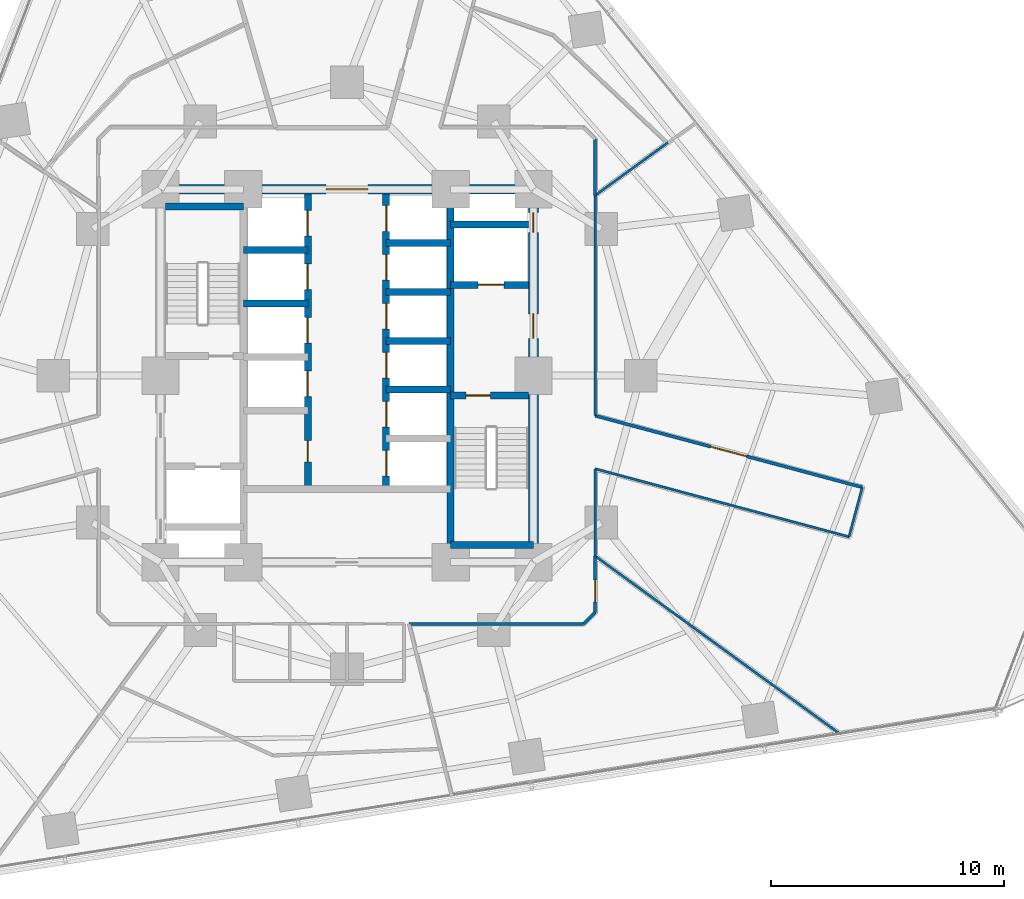
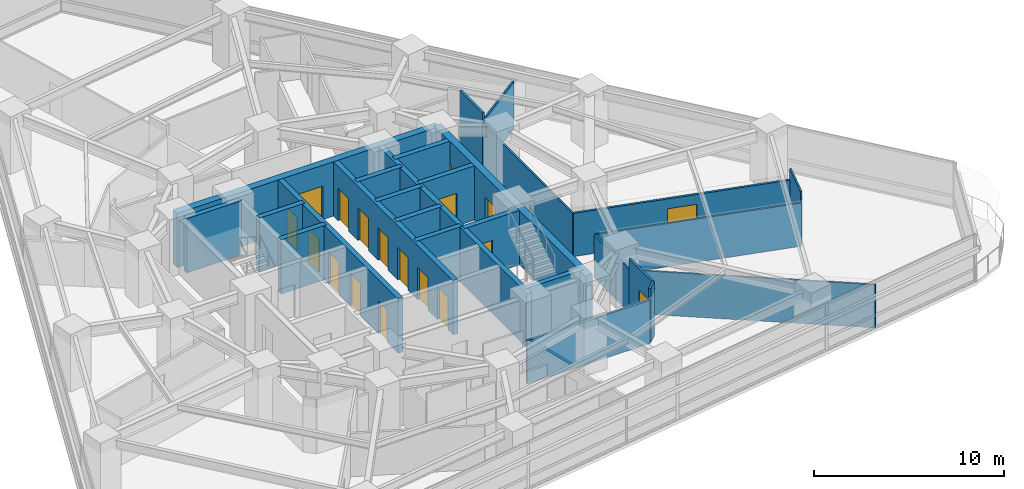
# One storey, part 8 of 13: 27 walls, 18 doors, 18 openings.
"""IFC4 building model written with IfcOpenShell, lengths in metres."""

import ifcopenshell
import ifcopenshell.guid

model = None  # the IFC model being written
_history = None  # IfcOwnerHistory: only IFC2X3 demands one
_inside = {}  # id of a spatial element -> (the spatial element, [elements in it])
_under = {}  # id of a project, library or spatial element -> (it, [spatial elements below it])
_declared = {}  # id of a project -> (the project, [libraries it declares])
_typed = {}  # id of a type object -> (the type object, [elements of that type])
_made_of = {}  # id of a material, layer set ... -> (it, [elements and type objects made of it])


def new_model(schema):
    """Start an empty IFC model of exactly this schema.

    Asked for "IFC4X3", IfcOpenShell would pick the latest addendum, in which some entities
    have other attributes; the version numbers below select the first issue.
    IFC2X3 requires an IfcOwnerHistory on every rooted entity: one is made here for all.
    """
    global model, _history
    if schema == "IFC4X3":
        model = ifcopenshell.file(schema_version=(4, 3, 0, 0))
    else:
        model = ifcopenshell.file(schema=schema)
    _inside.clear()
    _under.clear()
    _declared.clear()
    _typed.clear()
    _made_of.clear()
    _history = None
    if model.schema == "IFC2X3":
        org = make("IfcOrganization", Name="unknown")
        user = make(
            "IfcPersonAndOrganization",
            ThePerson=make("IfcPerson", FamilyName="unknown"),
            TheOrganization=org,
        )
        app = make(
            "IfcApplication",
            ApplicationDeveloper=org,
            Version="unknown",
            ApplicationFullName="unknown",
            ApplicationIdentifier="unknown",
        )
        _history = make(
            "IfcOwnerHistory",
            OwningUser=user,
            OwningApplication=app,
            ChangeAction="ADDED",
            CreationDate=0,
        )
    return model


def make(cls, **values):
    """One entity of the class cls with the attributes given. An attribute that is None is left unset."""
    return model.create_entity(
        cls, **{name: value for name, value in values.items() if value is not None}
    )


def rooted(cls, **values):
    """An entity with a GlobalId (a new one), such as an element, a storey or a relation."""
    return make(cls, GlobalId=ifcopenshell.guid.new(), OwnerHistory=_history, **values)


def si_unit(unit_type, name, prefix=None):
    """IfcSIUnit, for example si_unit("LENGTHUNIT", "METRE", prefix="MILLI")."""
    return make("IfcSIUnit", UnitType=unit_type, Prefix=prefix, Name=name)


def assignment(units):
    """IfcUnitAssignment: the units of a project."""
    return None if units is None else make("IfcUnitAssignment", Units=units)


def point(xyz):
    """IfcCartesianPoint."""
    return None if xyz is None else make("IfcCartesianPoint", Coordinates=xyz)


def direction(xyz):
    """IfcDirection."""
    return None if xyz is None else make("IfcDirection", DirectionRatios=xyz)


def frame(location, z_axis=None, x_axis=None):
    """IfcAxis2Placement3D, a coordinate frame: its origin and axes. An axis left out is left unset."""
    return make(
        "IfcAxis2Placement3D",
        Location=point(location),
        Axis=direction(z_axis),
        RefDirection=direction(x_axis),
    )


def frame_2d(location, x_axis=None):
    """IfcAxis2Placement2D, a coordinate frame in the plane: its origin and x axis."""
    return make(
        "IfcAxis2Placement2D", Location=point(location), RefDirection=direction(x_axis)
    )


def origin():
    """The frame at (0, 0, 0) with its axes left unset."""
    return frame((0.0, 0.0, 0.0))


def place(relative_to, where):
    """IfcLocalPlacement: puts the frame where relative to a parent placement (None: the world)."""
    return make(
        "IfcLocalPlacement", PlacementRelTo=relative_to, RelativePlacement=where
    )


def context(
    kind, dimensions, precision=None, world=None, true_north=None, identifier=None
):
    """IfcGeometricRepresentationContext, for example the 3D "Model" context."""
    return make(
        "IfcGeometricRepresentationContext",
        ContextIdentifier=identifier,
        ContextType=kind,
        CoordinateSpaceDimension=dimensions,
        Precision=precision,
        WorldCoordinateSystem=world,
        TrueNorth=true_north,
    )


def subcontext(parent, identifier, kind, view, scale=None):
    """IfcGeometricRepresentationSubContext, for example "Body" below "Model"."""
    return make(
        "IfcGeometricRepresentationSubContext",
        ContextIdentifier=identifier,
        ContextType=kind,
        ParentContext=parent,
        TargetScale=scale,
        TargetView=view,
    )


def project(units=None, contexts=None):
    """IfcProject with its units and contexts."""
    return rooted(
        "IfcProject",
        Name="project",
        RepresentationContexts=contexts,
        UnitsInContext=assignment(units),
    )


def spatial(cls, under=None, at=None, **own):
    """A site, building, storey or space (cls), placed at a placement, below another one or the project."""
    s = rooted(cls, ObjectPlacement=at, **own)
    if under is not None:
        _under.setdefault(under.id(), (under, []))[1].append(s)
    return s


def profile(cls, at=None, kind="AREA", **sizes):
    """A parametric profile (cls). Its sizes go by their IFC names, for example OverallWidth=200.0."""
    return make(cls, ProfileType=kind, Position=at, **sizes)


def rectangle(**sizes):
    """IfcRectangleProfileDef."""
    return profile("IfcRectangleProfileDef", **sizes)


def extrude(swept, where, along, depth):
    """IfcExtrudedAreaSolid: the profile swept, set in the frame where, extruded along a direction by depth."""
    return make(
        "IfcExtrudedAreaSolid",
        SweptArea=swept,
        Position=where,
        ExtrudedDirection=direction(along),
        Depth=depth,
    )


def shape(context_of_items, identifier, shape_type, items):
    """IfcShapeRepresentation: the items that make up one representation, for example the "Body"."""
    return make(
        "IfcShapeRepresentation",
        ContextOfItems=context_of_items,
        RepresentationIdentifier=identifier,
        RepresentationType=shape_type,
        Items=items,
    )


def material(Name=None, Category=None):
    """IfcMaterial."""
    return make("IfcMaterial", Name=Name, Category=Category)


def layer(
    of_material, thickness, ventilated=None, Name=None, Category=None, Priority=None
):
    """IfcMaterialLayer: one layer of a wall or slab, of a material (None: an air gap)."""
    return make(
        "IfcMaterialLayer",
        Material=of_material,
        LayerThickness=thickness,
        IsVentilated=ventilated,
        Name=Name,
        Category=Category,
        Priority=Priority,
    )


def layer_set(layers, Name=None):
    """IfcMaterialLayerSet."""
    return make("IfcMaterialLayerSet", MaterialLayers=layers, LayerSetName=Name)


def made_of(thing, what):
    """Note that an element or type object is made of a material, layer set ...; save() writes the relation."""
    if what is not None:
        _made_of.setdefault(what.id(), (what, []))[1].append(thing)
    return thing


def type_object(cls, material=None, **own):
    """A type object (cls), such as IfcWallType, which elements share."""
    return made_of(rooted(cls, **own), material)


def element(
    cls,
    number,
    at=None,
    inside=None,
    cuts=None,
    type_object=None,
    material=None,
    context=None,
    identifier="Body",
    shape_type=None,
    held_by="IfcProductDefinitionShape",
    body=None,
    shapes=None,
    **own,
):
    """One element of the class cls, such as IfcWall. Its Tag is "e" and its number.

    at: its placement. inside: the storey or other place that contains it. cuts: it is an
    opening in that element (IfcRelVoidsElement). A single representation is given by context,
    identifier, shape_type and body (its items); several are given by shapes. held_by: the class
    of the entity that holds the representations. save() writes the other relations.
    """
    e = rooted(cls, Tag="e%d" % number, ObjectPlacement=at, **own)
    if body is not None:
        shapes = [shape(context, identifier, shape_type, body)]
    if shapes is not None:
        e.Representation = make(held_by, Representations=shapes)
    if inside is not None:
        _inside.setdefault(inside.id(), (inside, []))[1].append(e)
    if cuts is not None:
        rooted(
            "IfcRelVoidsElement", RelatingBuildingElement=cuts, RelatedOpeningElement=e
        )
    if type_object is not None:
        _typed.setdefault(type_object.id(), (type_object, []))[1].append(e)
    return made_of(e, material)


def fill(opening, filler):
    """IfcRelFillsElement: the door or window that sits in an opening."""
    return rooted(
        "IfcRelFillsElement",
        RelatingOpeningElement=opening,
        RelatedBuildingElement=filler,
    )


def aggregate(whole, parts):
    """IfcRelAggregates: a whole, such as a stair, and the parts it consists of."""
    return rooted("IfcRelAggregates", RelatingObject=whole, RelatedObjects=parts)


def save(model, path):
    """Write the relations noted so far, then the file.

    IfcRelAggregates (storeys below a building ...), IfcRelContainedInSpatialStructure (elements
    in a storey), IfcRelDefinesByType, IfcRelAssociatesMaterial and IfcRelDeclares: one each for
    every whole, place, type object, material and project.
    """
    for whole, parts in _under.values():
        aggregate(whole, parts)
    for where, things in _inside.values():
        rooted(
            "IfcRelContainedInSpatialStructure",
            RelatedElements=things,
            RelatingStructure=where,
        )
    for kind, things in _typed.values():
        rooted("IfcRelDefinesByType", RelatedObjects=things, RelatingType=kind)
    for what, things in _made_of.values():
        rooted("IfcRelAssociatesMaterial", RelatedObjects=things, RelatingMaterial=what)
    for by, libraries in _declared.values():
        rooted("IfcRelDeclares", RelatingContext=by, RelatedDefinitions=libraries)
    model.write(path)


model = new_model("IFC4")

# Units and contexts
model_context = context("Model", 3, precision=1e-05, world=origin(), true_north=direction((0.0, 1.0)))
body_context = subcontext(model_context, "Body", "Model", "MODEL_VIEW")
ifc_project = project(units=[si_unit("LENGTHUNIT", "METRE"), si_unit("AREAUNIT", "SQUARE_METRE"), si_unit("VOLUMEUNIT", "CUBIC_METRE"), si_unit("PLANEANGLEUNIT", "RADIAN"), si_unit("MASSUNIT", "GRAM", prefix="KILO")], contexts=[model_context])

# Site, building, storey
site_placement = place(None, origin())
site = spatial("IfcSite", under=ifc_project, at=site_placement, CompositionType="ELEMENT")
building_placement = place(site_placement, origin())
building = spatial("IfcBuilding", under=site, at=building_placement, Name="Terralouvre Media Tower", CompositionType="ELEMENT")
storey_placement = place(building_placement, frame((0.0, 0.0, 59.300048828125)))
storey = spatial("IfcBuildingStorey", under=building, at=storey_placement, Name="L14", CompositionType="ELEMENT", Elevation=59.300048828125)

# Walls
ifc_material_1 = material(Name="Concrete C50/60", Category="concrete")
ifc_layer_1 = layer(ifc_material_1, 0.300048828125, Name="Core Internal Shaft Wall CW-300")
ifc_layer_set_1 = layer_set([ifc_layer_1], Name="Concrete C50/60")
wall_type_1 = type_object("IfcWallType", Name="Core Internal Shaft Wall CW-300", PredefinedType="SHEAR", material=ifc_layer_set_1)
wall_1_placement = place(storey_placement, frame((4.449951171875, -7.7900390625, 0.0), z_axis=(0.0, 0.0, 1.0), x_axis=(0.0, 1.0, 0.0)))
element("IfcWall", 1, at=wall_1_placement, inside=storey, type_object=wall_type_1, Name="L14 Core Shaft Wall SPE", PredefinedType="SHEAR", context=body_context, shape_type="SweptSolid", body=[
    extrude(rectangle(XDim=15.580078125, YDim=0.300048828125, at=frame_2d((7.7900390625, 0.0))), origin(), (0.0, 0.0, 1.0), 3.5),
])
wall_2_placement = place(storey_placement, frame((-7.7900390625, 7.260009765625, 0.0), z_axis=(0.0, 0.0, 1.0), x_axis=(1.0, 0.0, 0.0)))
element("IfcWall", 2, at=wall_2_placement, inside=storey, type_object=wall_type_1, Name="L14 Core Shaft Wall ST1F", PredefinedType="SHEAR", context=body_context, shape_type="SweptSolid", body=[
    extrude(rectangle(XDim=3.340087890625, YDim=0.300048828125, at=frame_2d((1.669921875, 0.0))), origin(), (0.0, 0.0, 1.0), 3.5),
])

# Wall, opening, door
wall_3_placement = place(storey_placement, frame((4.449951171875, -0.85009765625, 0.0), z_axis=(0.0, 0.0, 1.0), x_axis=(1.0, 0.0, 0.0)))
wall_3 = element("IfcWall", 3, at=wall_3_placement, inside=storey, type_object=wall_type_1, Name="L14 Core Shaft Wall ST2D", PredefinedType="SHEAR", context=body_context, shape_type="SweptSolid", body=[
    extrude(rectangle(XDim=3.340087890625, YDim=0.300048828125, at=frame_2d((1.669921875, 0.0))), origin(), (0.0, 0.0, 1.0), 3.5),
])
opening_1_placement = place(wall_3_placement, frame((0.64990234375, 0.0, 0.0)))
opening_1 = element("IfcOpeningElement", 4, at=opening_1_placement, cuts=wall_3, Name="Opening FD-01-105X215", PredefinedType="OPENING", context=body_context, shape_type="SweptSolid", body=[
    extrude(rectangle(XDim=1.050048828125, YDim=2.14990234375, at=frame_2d((0.52490234375, 1.074951171875))), frame((0.0, 0.159912109375, 0.0), z_axis=(0.0, -1.0, 0.0), x_axis=(1.0, 0.0, 0.0)), (0.0, 0.0, 1.0), 0.320068359375),
])
ifc_material_2 = material(Name="Galvanised steel fire-resisting leaf", Category="steel")
door_type_1 = type_object("IfcDoorType", Name="Stair and Firefighting Lobby Fire Door FD-01 (1050x2150)", OperationType="NOTDEFINED", PredefinedType="DOOR", material=ifc_material_2)
door_1_placement = place(opening_1_placement, origin())
door_1 = element("IfcDoor", 5, at=door_1_placement, inside=storey, type_object=door_type_1, Name="L14 ST-02 Exit Stair Door", OperationType="SINGLE_SWING_RIGHT", OverallHeight=2.14990234375, OverallWidth=1.050048828125, PredefinedType="DOOR", context=body_context, shape_type="SweptSolid", body=[
    extrude(rectangle(XDim=1.050048828125, YDim=2.14990234375, at=frame_2d((0.52490234375, 1.074951171875))), frame((0.0, 0.02490234375, 0.0), z_axis=(0.0, -1.0, 0.0), x_axis=(1.0, 0.0, 0.0)), (0.0, 0.0, 1.0), 0.050048828125),
])
fill(opening_1, door_1)

# Wall
wall_4_placement = place(storey_placement, frame((4.449951171875, -7.260009765625, 0.0), z_axis=(0.0, 0.0, 1.0), x_axis=(1.0, 0.0, 0.0)))
element("IfcWall", 6, at=wall_4_placement, inside=storey, type_object=wall_type_1, Name="L14 Core Shaft Wall ST2F", PredefinedType="SHEAR", context=body_context, shape_type="SweptSolid", body=[
    extrude(rectangle(XDim=3.550048828125, YDim=0.300048828125, at=frame_2d((1.77490234375, 0.0))), origin(), (0.0, 0.0, 1.0), 3.5),
])

# Wall, opening, door
wall_5_placement = place(storey_placement, frame((4.449951171875, 3.89990234375, 0.0), z_axis=(0.0, 0.0, 1.0), x_axis=(1.0, 0.0, 0.0)))
wall_5 = element("IfcWall", 7, at=wall_5_placement, inside=storey, type_object=wall_type_1, Name="L14 Core Shaft Wall FF2S", PredefinedType="SHEAR", context=body_context, shape_type="SweptSolid", body=[
    extrude(rectangle(XDim=3.340087890625, YDim=0.300048828125, at=frame_2d((1.669921875, 0.0))), origin(), (0.0, 0.0, 1.0), 3.5),
])
opening_2_placement = place(wall_5_placement, frame((1.179931640625, 0.0, 0.0)))
opening_2 = element("IfcOpeningElement", 8, at=opening_2_placement, cuts=wall_5, Name="Opening LD-FF", PredefinedType="OPENING", context=body_context, shape_type="SweptSolid", body=[
    extrude(rectangle(XDim=1.10009765625, YDim=2.10009765625, at=frame_2d((0.550048828125, 1.050048828125))), frame((0.0, 0.159912109375, 0.0), z_axis=(0.0, -1.0, 0.0), x_axis=(1.0, 0.0, 0.0)), (0.0, 0.0, 1.0), 0.320068359375),
])
ifc_material_3 = material(Name="Stainless steel 316 handrail and balustrade", Category="steel")
door_type_2 = type_object("IfcDoorType", Name="Firefighting Lift Sliding Landing Door LD-FF", OperationType="SLIDING_TO_LEFT", PredefinedType="DOOR", material=ifc_material_3)
door_2_placement = place(opening_2_placement, origin())
door_2 = element("IfcDoor", 9, at=door_2_placement, inside=storey, type_object=door_type_2, Name="L14 Firefighting Lift FFL-02 Landing Door", OperationType="SLIDING_TO_LEFT", OverallHeight=2.10009765625, OverallWidth=1.10009765625, PredefinedType="DOOR", context=body_context, shape_type="SweptSolid", body=[
    extrude(rectangle(XDim=1.10009765625, YDim=2.10009765625, at=frame_2d((0.550048828125, 1.050048828125))), frame((0.0, 0.02490234375, 0.0), z_axis=(0.0, -1.0, 0.0), x_axis=(1.0, 0.0, 0.0)), (0.0, 0.0, 1.0), 0.050048828125),
])
fill(opening_2, door_2)

# Wall
wall_6_placement = place(storey_placement, frame((4.449951171875, 6.5, 0.0), z_axis=(0.0, 0.0, 1.0), x_axis=(1.0, 0.0, 0.0)))
element("IfcWall", 10, at=wall_6_placement, inside=storey, type_object=wall_type_1, Name="L14 Core Shaft Wall FF2N", PredefinedType="SHEAR", context=body_context, shape_type="SweptSolid", body=[
    extrude(rectangle(XDim=3.340087890625, YDim=0.300048828125, at=frame_2d((1.669921875, 0.0))), origin(), (0.0, 0.0, 1.0), 3.5),
])

# Wall, openings, doors
wall_7_placement = place(storey_placement, frame((-1.679931640625, -4.85009765625, 0.0), z_axis=(0.0, 0.0, 1.0), x_axis=(0.0, 1.0, 0.0)))
wall_7 = element("IfcWall", 11, at=wall_7_placement, inside=storey, type_object=wall_type_1, Name="L14 Core Shaft Wall LBW", PredefinedType="SHEAR", context=body_context, shape_type="SweptSolid", body=[
    extrude(rectangle(XDim=12.64013671875, YDim=0.300048828125, at=frame_2d((6.320068359375, 0.0))), origin(), (0.0, 0.0, 1.0), 3.5),
])
opening_3_placement = place(wall_7_placement, frame((3.949951171875, 0.0, 0.0)))
opening_3 = element("IfcOpeningElement", 12, at=opening_3_placement, cuts=wall_7, Name="Opening LD-PL", PredefinedType="OPENING", context=body_context, shape_type="SweptSolid", body=[
    extrude(rectangle(XDim=1.10009765625, YDim=2.10009765625, at=frame_2d((0.550048828125, 1.050048828125))), frame((0.0, 0.159912109375, 0.0), z_axis=(0.0, -1.0, 0.0), x_axis=(1.0, 0.0, 0.0)), (0.0, 0.0, 1.0), 0.320068359375),
])
opening_4_placement = place(wall_7_placement, frame((6.25, 0.0, 0.0)))
opening_4 = element("IfcOpeningElement", 13, at=opening_4_placement, cuts=wall_7, Name="Opening LD-PL", PredefinedType="OPENING", context=body_context, shape_type="SweptSolid", body=[
    extrude(rectangle(XDim=1.10009765625, YDim=2.10009765625, at=frame_2d((0.550048828125, 1.050048828125))), frame((0.0, 0.159912109375, 0.0), z_axis=(0.0, -1.0, 0.0), x_axis=(1.0, 0.0, 0.0)), (0.0, 0.0, 1.0), 0.320068359375),
])
opening_5_placement = place(wall_7_placement, frame((8.550048828125, 0.0, 0.0)))
opening_5 = element("IfcOpeningElement", 14, at=opening_5_placement, cuts=wall_7, Name="Opening LD-PL", PredefinedType="OPENING", context=body_context, shape_type="SweptSolid", body=[
    extrude(rectangle(XDim=1.10009765625, YDim=2.10009765625, at=frame_2d((0.550048828125, 1.050048828125))), frame((0.0, 0.159912109375, 0.0), z_axis=(0.0, -1.0, 0.0), x_axis=(1.0, 0.0, 0.0)), (0.0, 0.0, 1.0), 0.320068359375),
])
opening_6_placement = place(wall_7_placement, frame((10.85009765625, 0.0, 0.0)))
opening_6 = element("IfcOpeningElement", 15, at=opening_6_placement, cuts=wall_7, Name="Opening LD-PL", PredefinedType="OPENING", context=body_context, shape_type="SweptSolid", body=[
    extrude(rectangle(XDim=1.10009765625, YDim=2.10009765625, at=frame_2d((0.550048828125, 1.050048828125))), frame((0.0, 0.159912109375, 0.0), z_axis=(0.0, -1.0, 0.0), x_axis=(1.0, 0.0, 0.0)), (0.0, 0.0, 1.0), 0.320068359375),
])
opening_7_placement = place(wall_7_placement, frame((1.14990234375, 0.0, 0.0)))
opening_7 = element("IfcOpeningElement", 16, at=opening_7_placement, cuts=wall_7, Name="Opening FD-05-92X210", PredefinedType="OPENING", context=body_context, shape_type="SweptSolid", body=[
    extrude(rectangle(XDim=0.919921875, YDim=2.10009765625, at=frame_2d((0.4599609375, 1.050048828125))), frame((0.0, 0.159912109375, 0.0), z_axis=(0.0, -1.0, 0.0), x_axis=(1.0, 0.0, 0.0)), (0.0, 0.0, 1.0), 0.320068359375),
])
ifc_material_4 = material(Name="Galvanised steel fire-resisting leaf", Category="steel")
door_type_3 = type_object("IfcDoorType", Name="Core Accessible Closet Fire Door FD-05 (920x2100)", OperationType="NOTDEFINED", PredefinedType="DOOR", material=ifc_material_4)
door_3_placement = place(opening_7_placement, origin())
door_3 = element("IfcDoor", 17, at=door_3_placement, inside=storey, type_object=door_type_3, Name="L14 Core Cleaners Closet Door", OperationType="SINGLE_SWING_LEFT", OverallHeight=2.10009765625, OverallWidth=0.919921875, PredefinedType="DOOR", context=body_context, shape_type="SweptSolid", body=[
    extrude(rectangle(XDim=0.919921875, YDim=2.10009765625, at=frame_2d((0.4599609375, 1.050048828125))), frame((0.0, 0.02490234375, 0.0), z_axis=(0.0, -1.0, 0.0), x_axis=(1.0, 0.0, 0.0)), (0.0, 0.0, 1.0), 0.050048828125),
])
fill(opening_7, door_3)
ifc_material_5 = material(Name="Stainless steel 316 handrail and balustrade", Category="steel")
door_type_4 = type_object("IfcDoorType", Name="Passenger Lift Sliding Landing Door LD-PL", OperationType="SLIDING_TO_LEFT", PredefinedType="DOOR", material=ifc_material_5)
door_4_placement = place(opening_3_placement, origin())
door_4 = element("IfcDoor", 18, at=door_4_placement, inside=storey, type_object=door_type_4, Name="L14 Low-Rise Lift PL-L1 Landing Door", OperationType="SLIDING_TO_LEFT", OverallHeight=2.10009765625, OverallWidth=1.10009765625, PredefinedType="DOOR", context=body_context, shape_type="SweptSolid", body=[
    extrude(rectangle(XDim=1.10009765625, YDim=2.10009765625, at=frame_2d((0.550048828125, 1.050048828125))), frame((0.0, 0.02490234375, 0.0), z_axis=(0.0, -1.0, 0.0), x_axis=(1.0, 0.0, 0.0)), (0.0, 0.0, 1.0), 0.050048828125),
])
fill(opening_3, door_4)
door_5_placement = place(opening_4_placement, origin())
door_5 = element("IfcDoor", 19, at=door_5_placement, inside=storey, type_object=door_type_4, Name="L14 Low-Rise Lift PL-L2 Landing Door", OperationType="SLIDING_TO_LEFT", OverallHeight=2.10009765625, OverallWidth=1.10009765625, PredefinedType="DOOR", context=body_context, shape_type="SweptSolid", body=[
    extrude(rectangle(XDim=1.10009765625, YDim=2.10009765625, at=frame_2d((0.550048828125, 1.050048828125))), frame((0.0, 0.02490234375, 0.0), z_axis=(0.0, -1.0, 0.0), x_axis=(1.0, 0.0, 0.0)), (0.0, 0.0, 1.0), 0.050048828125),
])
fill(opening_4, door_5)
door_6_placement = place(opening_5_placement, origin())
door_6 = element("IfcDoor", 20, at=door_6_placement, inside=storey, type_object=door_type_4, Name="L14 Low-Rise Lift PL-L3 Landing Door", OperationType="SLIDING_TO_LEFT", OverallHeight=2.10009765625, OverallWidth=1.10009765625, PredefinedType="DOOR", context=body_context, shape_type="SweptSolid", body=[
    extrude(rectangle(XDim=1.10009765625, YDim=2.10009765625, at=frame_2d((0.550048828125, 1.050048828125))), frame((0.0, 0.02490234375, 0.0), z_axis=(0.0, -1.0, 0.0), x_axis=(1.0, 0.0, 0.0)), (0.0, 0.0, 1.0), 0.050048828125),
])
fill(opening_5, door_6)
door_7_placement = place(opening_6_placement, origin())
door_7 = element("IfcDoor", 21, at=door_7_placement, inside=storey, type_object=door_type_4, Name="L14 Low-Rise Lift PL-L4 Landing Door", OperationType="SLIDING_TO_LEFT", OverallHeight=2.10009765625, OverallWidth=1.10009765625, PredefinedType="DOOR", context=body_context, shape_type="SweptSolid", body=[
    extrude(rectangle(XDim=1.10009765625, YDim=2.10009765625, at=frame_2d((0.550048828125, 1.050048828125))), frame((0.0, 0.02490234375, 0.0), z_axis=(0.0, -1.0, 0.0), x_axis=(1.0, 0.0, 0.0)), (0.0, 0.0, 1.0), 0.050048828125),
])
fill(opening_6, door_7)

wall_8_placement = place(storey_placement, frame((1.679931640625, -4.85009765625, 0.0), z_axis=(0.0, 0.0, 1.0), x_axis=(0.0, 1.0, 0.0)))
wall_8 = element("IfcWall", 22, at=wall_8_placement, inside=storey, type_object=wall_type_1, Name="L14 Core Shaft Wall LBE", PredefinedType="SHEAR", context=body_context, shape_type="SweptSolid", body=[
    extrude(rectangle(XDim=12.64013671875, YDim=0.300048828125, at=frame_2d((6.320068359375, 0.0))), origin(), (0.0, 0.0, 1.0), 3.5),
])
opening_8_placement = place(wall_8_placement, frame((0.550048828125, 0.0, 0.0)))
opening_8 = element("IfcOpeningElement", 23, at=opening_8_placement, cuts=wall_8, Name="Opening LD-PL", PredefinedType="OPENING", context=body_context, shape_type="SweptSolid", body=[
    extrude(rectangle(XDim=1.10009765625, YDim=2.10009765625, at=frame_2d((0.550048828125, 1.050048828125))), frame((0.0, 0.159912109375, 0.0), z_axis=(0.0, -1.0, 0.0), x_axis=(1.0, 0.0, 0.0)), (0.0, 0.0, 1.0), 0.320068359375),
])
opening_9_placement = place(wall_8_placement, frame((2.64990234375, 0.0, 0.0)))
opening_9 = element("IfcOpeningElement", 24, at=opening_9_placement, cuts=wall_8, Name="Opening LD-PL", PredefinedType="OPENING", context=body_context, shape_type="SweptSolid", body=[
    extrude(rectangle(XDim=1.10009765625, YDim=2.10009765625, at=frame_2d((0.550048828125, 1.050048828125))), frame((0.0, 0.159912109375, 0.0), z_axis=(0.0, -1.0, 0.0), x_axis=(1.0, 0.0, 0.0)), (0.0, 0.0, 1.0), 0.320068359375),
])
opening_10_placement = place(wall_8_placement, frame((4.75, 0.0, 0.0)))
opening_10 = element("IfcOpeningElement", 25, at=opening_10_placement, cuts=wall_8, Name="Opening LD-PL", PredefinedType="OPENING", context=body_context, shape_type="SweptSolid", body=[
    extrude(rectangle(XDim=1.10009765625, YDim=2.10009765625, at=frame_2d((0.550048828125, 1.050048828125))), frame((0.0, 0.159912109375, 0.0), z_axis=(0.0, -1.0, 0.0), x_axis=(1.0, 0.0, 0.0)), (0.0, 0.0, 1.0), 0.320068359375),
])
opening_11_placement = place(wall_8_placement, frame((6.85009765625, 0.0, 0.0)))
opening_11 = element("IfcOpeningElement", 26, at=opening_11_placement, cuts=wall_8, Name="Opening LD-PL", PredefinedType="OPENING", context=body_context, shape_type="SweptSolid", body=[
    extrude(rectangle(XDim=1.10009765625, YDim=2.10009765625, at=frame_2d((0.550048828125, 1.050048828125))), frame((0.0, 0.159912109375, 0.0), z_axis=(0.0, -1.0, 0.0), x_axis=(1.0, 0.0, 0.0)), (0.0, 0.0, 1.0), 0.320068359375),
])
opening_12_placement = place(wall_8_placement, frame((8.949951171875, 0.0, 0.0)))
opening_12 = element("IfcOpeningElement", 27, at=opening_12_placement, cuts=wall_8, Name="Opening LD-PL", PredefinedType="OPENING", context=body_context, shape_type="SweptSolid", body=[
    extrude(rectangle(XDim=1.10009765625, YDim=2.10009765625, at=frame_2d((0.550048828125, 1.050048828125))), frame((0.0, 0.159912109375, 0.0), z_axis=(0.0, -1.0, 0.0), x_axis=(1.0, 0.0, 0.0)), (0.0, 0.0, 1.0), 0.320068359375),
])
opening_13_placement = place(wall_8_placement, frame((11.050048828125, 0.0, 0.0)))
opening_13 = element("IfcOpeningElement", 28, at=opening_13_placement, cuts=wall_8, Name="Opening LD-PL", PredefinedType="OPENING", context=body_context, shape_type="SweptSolid", body=[
    extrude(rectangle(XDim=1.10009765625, YDim=2.10009765625, at=frame_2d((0.550048828125, 1.050048828125))), frame((0.0, 0.159912109375, 0.0), z_axis=(0.0, -1.0, 0.0), x_axis=(1.0, 0.0, 0.0)), (0.0, 0.0, 1.0), 0.320068359375),
])
door_8_placement = place(opening_8_placement, origin())
door_8 = element("IfcDoor", 29, at=door_8_placement, inside=storey, type_object=door_type_4, Name="L14 High-Rise Lift PL-H1 Landing Door", OperationType="SLIDING_TO_LEFT", OverallHeight=2.10009765625, OverallWidth=1.10009765625, PredefinedType="DOOR", context=body_context, shape_type="SweptSolid", body=[
    extrude(rectangle(XDim=1.10009765625, YDim=2.10009765625, at=frame_2d((0.550048828125, 1.050048828125))), frame((0.0, 0.02490234375, 0.0), z_axis=(0.0, -1.0, 0.0), x_axis=(1.0, 0.0, 0.0)), (0.0, 0.0, 1.0), 0.050048828125),
])
fill(opening_8, door_8)
door_9_placement = place(opening_9_placement, origin())
door_9 = element("IfcDoor", 30, at=door_9_placement, inside=storey, type_object=door_type_4, Name="L14 High-Rise Lift PL-H2 Landing Door", OperationType="SLIDING_TO_LEFT", OverallHeight=2.10009765625, OverallWidth=1.10009765625, PredefinedType="DOOR", context=body_context, shape_type="SweptSolid", body=[
    extrude(rectangle(XDim=1.10009765625, YDim=2.10009765625, at=frame_2d((0.550048828125, 1.050048828125))), frame((0.0, 0.02490234375, 0.0), z_axis=(0.0, -1.0, 0.0), x_axis=(1.0, 0.0, 0.0)), (0.0, 0.0, 1.0), 0.050048828125),
])
fill(opening_9, door_9)
door_10_placement = place(opening_10_placement, origin())
door_10 = element("IfcDoor", 31, at=door_10_placement, inside=storey, type_object=door_type_4, Name="L14 High-Rise Lift PL-H3 Landing Door", OperationType="SLIDING_TO_LEFT", OverallHeight=2.10009765625, OverallWidth=1.10009765625, PredefinedType="DOOR", context=body_context, shape_type="SweptSolid", body=[
    extrude(rectangle(XDim=1.10009765625, YDim=2.10009765625, at=frame_2d((0.550048828125, 1.050048828125))), frame((0.0, 0.02490234375, 0.0), z_axis=(0.0, -1.0, 0.0), x_axis=(1.0, 0.0, 0.0)), (0.0, 0.0, 1.0), 0.050048828125),
])
fill(opening_10, door_10)
door_11_placement = place(opening_11_placement, origin())
door_11 = element("IfcDoor", 32, at=door_11_placement, inside=storey, type_object=door_type_4, Name="L14 Mid-Rise Lift PL-M1 Landing Door", OperationType="SLIDING_TO_LEFT", OverallHeight=2.10009765625, OverallWidth=1.10009765625, PredefinedType="DOOR", context=body_context, shape_type="SweptSolid", body=[
    extrude(rectangle(XDim=1.10009765625, YDim=2.10009765625, at=frame_2d((0.550048828125, 1.050048828125))), frame((0.0, 0.02490234375, 0.0), z_axis=(0.0, -1.0, 0.0), x_axis=(1.0, 0.0, 0.0)), (0.0, 0.0, 1.0), 0.050048828125),
])
fill(opening_11, door_11)
door_12_placement = place(opening_12_placement, origin())
door_12 = element("IfcDoor", 33, at=door_12_placement, inside=storey, type_object=door_type_4, Name="L14 Mid-Rise Lift PL-M2 Landing Door", OperationType="SLIDING_TO_LEFT", OverallHeight=2.10009765625, OverallWidth=1.10009765625, PredefinedType="DOOR", context=body_context, shape_type="SweptSolid", body=[
    extrude(rectangle(XDim=1.10009765625, YDim=2.10009765625, at=frame_2d((0.550048828125, 1.050048828125))), frame((0.0, 0.02490234375, 0.0), z_axis=(0.0, -1.0, 0.0), x_axis=(1.0, 0.0, 0.0)), (0.0, 0.0, 1.0), 0.050048828125),
])
fill(opening_12, door_12)
door_13_placement = place(opening_13_placement, origin())
door_13 = element("IfcDoor", 34, at=door_13_placement, inside=storey, type_object=door_type_4, Name="L14 Mid-Rise Lift PL-M3 Landing Door", OperationType="SLIDING_TO_LEFT", OverallHeight=2.10009765625, OverallWidth=1.10009765625, PredefinedType="DOOR", context=body_context, shape_type="SweptSolid", body=[
    extrude(rectangle(XDim=1.10009765625, YDim=2.10009765625, at=frame_2d((0.550048828125, 1.050048828125))), frame((0.0, 0.02490234375, 0.0), z_axis=(0.0, -1.0, 0.0), x_axis=(1.0, 0.0, 0.0)), (0.0, 0.0, 1.0), 0.050048828125),
])
fill(opening_13, door_13)

# Walls
for number, where, z_axis, x_axis, name in (
    (35, (-4.449951171875, 3.10009765625, 0.0), (0.0, 0.0, 1.0), (1.0, 0.0, 0.0), "L14 Core Shaft Wall PLLD2"),
    (36, (-4.449951171875, 5.39990234375, 0.0), (0.0, 0.0, 1.0), (1.0, 0.0, 0.0), "L14 Core Shaft Wall PLLD3"),
    (37, (1.679931640625, 1.5, 0.0), (0.0, 0.0, 1.0), (1.0, 0.0, 0.0), "L14 Core Shaft Wall PLMD0"),
    (38, (1.679931640625, 3.60009765625, 0.0), (0.0, 0.0, 1.0), (1.0, 0.0, 0.0), "L14 Core Shaft Wall PLMD1"),
    (39, (1.679931640625, 5.699951171875, 0.0), (0.0, 0.0, 1.0), (1.0, 0.0, 0.0), "L14 Core Shaft Wall PLMD2"),
    (40, (1.679931640625, -0.60009765625, 0.0), (0.0, 0.0, 1.0), (1.0, 0.0, 0.0), "L14 Core Shaft Wall PLHD2"),
):
    element("IfcWall", number, at=place(storey_placement, frame(where, z_axis=z_axis, x_axis=x_axis)), inside=storey, type_object=wall_type_1, Name=name, PredefinedType="SHEAR", context=body_context, shape_type="SweptSolid", body=[
        extrude(rectangle(XDim=2.77001953125, YDim=0.300048828125, at=frame_2d((1.385009765625, 0.0))), origin(), (0.0, 0.0, 1.0), 3.5),
    ])

# Wall, openings, doors
ifc_material_6 = material(Name="Concrete C60/75", Category="concrete")
ifc_layer_2 = layer(ifc_material_6, 0.419921875, Name="Core Reinforced Concrete Shear Wall CW-420")
ifc_layer_set_2 = layer_set([ifc_layer_2], Name="Concrete C60/75")
wall_type_2 = type_object("IfcWallType", Name="Core Reinforced Concrete Shear Wall CW-420", PredefinedType="SHEAR", material=ifc_layer_set_2)
wall_9_placement = place(storey_placement, frame((8.0, -8.0, 0.0), z_axis=(0.0, 0.0, 1.0), x_axis=(0.0, 1.0, 0.0)))
wall_9 = element("IfcWall", 41, at=wall_9_placement, inside=storey, type_object=wall_type_2, Name="L14 E Core Shear Wall", PredefinedType="SHEAR", context=body_context, shape_type="SweptSolid", body=[
    extrude(rectangle(XDim=16.0, YDim=0.419921875, at=frame_2d((8.0, 0.0))), origin(), (0.0, 0.0, 1.0), 3.5),
])
opening_14_placement = place(wall_9_placement, frame((9.60009765625, 0.0, 0.0)))
opening_14 = element("IfcOpeningElement", 42, at=opening_14_placement, cuts=wall_9, Name="Opening FD-01-105X215", PredefinedType="OPENING", context=body_context, shape_type="SweptSolid", body=[
    extrude(rectangle(XDim=1.050048828125, YDim=2.14990234375, at=frame_2d((0.52490234375, 1.074951171875))), frame((0.0, 0.219970703125, 0.0), z_axis=(0.0, -1.0, 0.0), x_axis=(1.0, 0.0, 0.0)), (0.0, 0.0, 1.0), 0.43994140625),
])
opening_15_placement = place(wall_9_placement, frame((14.148193359375, 0.0, 0.0)))
opening_15 = element("IfcOpeningElement", 43, at=opening_15_placement, cuts=wall_9, Name="Opening TD-R1", PredefinedType="OPENING", context=body_context, shape_type="SweptSolid", body=[
    extrude(rectangle(XDim=0.85009765625, YDim=2.02001953125, at=frame_2d((0.425048828125, 1.010009765625))), frame((0.0, 0.219970703125, 0.0), z_axis=(0.0, -1.0, 0.0), x_axis=(1.0, 0.0, 0.0)), (0.0, 0.0, 1.0), 0.43994140625),
])
ifc_material_7 = material(Name="Galvanised steel fire-resisting leaf", Category="steel")
door_type_5 = type_object("IfcDoorType", Name="Riser Inspection Access Trapdoor TD-R1", OperationType="NOTDEFINED", PredefinedType="TRAPDOOR", material=ifc_material_7)
door_14_placement = place(opening_15_placement, origin())
door_14 = element("IfcDoor", 44, at=door_14_placement, inside=storey, type_object=door_type_5, Name="L14 East Comms Riser Access Trapdoor", OperationType="SINGLE_SWING_RIGHT", OverallHeight=2.02001953125, OverallWidth=0.85009765625, PredefinedType="TRAPDOOR", context=body_context, shape_type="SweptSolid", body=[
    extrude(rectangle(XDim=0.85009765625, YDim=2.02001953125, at=frame_2d((0.425048828125, 1.010009765625))), frame((0.0, 0.02490234375, 0.0), z_axis=(0.0, -1.0, 0.0), x_axis=(1.0, 0.0, 0.0)), (0.0, 0.0, 1.0), 0.050048828125),
])
fill(opening_15, door_14)
door_15_placement = place(opening_14_placement, origin())
door_15 = element("IfcDoor", 45, at=door_15_placement, inside=storey, type_object=door_type_1, Name="L14 East Firefighting Lobby Entry Door", OperationType="SINGLE_SWING_LEFT", OverallHeight=2.14990234375, OverallWidth=1.050048828125, PredefinedType="DOOR", context=body_context, shape_type="SweptSolid", body=[
    extrude(rectangle(XDim=1.050048828125, YDim=2.14990234375, at=frame_2d((0.52490234375, 1.074951171875))), frame((0.0, 0.02490234375, 0.0), z_axis=(0.0, -1.0, 0.0), x_axis=(1.0, 0.0, 0.0)), (0.0, 0.0, 1.0), 0.050048828125),
])
fill(opening_14, door_15)

# Wall, opening, door
wall_10_placement = place(storey_placement, frame((-8.0, 8.0, 0.0), z_axis=(0.0, 0.0, 1.0), x_axis=(1.0, 0.0, 0.0)))
wall_10 = element("IfcWall", 46, at=wall_10_placement, inside=storey, type_object=wall_type_2, Name="L14 N Core Shear Wall", PredefinedType="SHEAR", context=body_context, shape_type="SweptSolid", body=[
    extrude(rectangle(XDim=16.0, YDim=0.419921875, at=frame_2d((8.0, 0.0))), origin(), (0.0, 0.0, 1.0), 3.5),
])
opening_16_placement = place(wall_10_placement, frame((7.10009765625, 0.0, 0.0)))
opening_16 = element("IfcOpeningElement", 47, at=opening_16_placement, cuts=wall_10, Name="Opening FD-03", PredefinedType="OPENING", context=body_context, shape_type="SweptSolid", body=[
    extrude(rectangle(XDim=1.800048828125, YDim=2.14990234375, at=frame_2d((0.89990234375, 1.074951171875))), frame((0.0, 0.219970703125, 0.0), z_axis=(0.0, -1.0, 0.0), x_axis=(1.0, 0.0, 0.0)), (0.0, 0.0, 1.0), 0.43994140625),
])
ifc_material_8 = material(Name="Galvanised steel fire-resisting leaf", Category="steel")
door_type_6 = type_object("IfcDoorType", Name="Corridor Smoke-Control Double Door FD-03", OperationType="DOUBLE_DOOR_SINGLE_SWING", PredefinedType="DOOR", material=ifc_material_8)
door_16_placement = place(opening_16_placement, origin())
door_16 = element("IfcDoor", 48, at=door_16_placement, inside=storey, type_object=door_type_6, Name="L14 Central Lift Lobby Portal Door", OperationType="DOUBLE_DOOR_SINGLE_SWING", OverallHeight=2.14990234375, OverallWidth=1.800048828125, PredefinedType="DOOR", context=body_context, shape_type="SweptSolid", body=[
    extrude(rectangle(XDim=1.800048828125, YDim=2.14990234375, at=frame_2d((0.89990234375, 1.074951171875))), frame((0.0, 0.02490234375, 0.0), z_axis=(0.0, -1.0, 0.0), x_axis=(1.0, 0.0, 0.0)), (0.0, 0.0, 1.0), 0.050048828125),
])
fill(opening_16, door_16)

# Walls
ifc_material_9 = material(Name="Low-iron laminated double glazing with solar-control coating", Category="glass")
ifc_layer_3 = layer(ifc_material_9, 0.10009765625, Name="Demountable Glazed Office Partition PT-GL100")
ifc_layer_set_3 = layer_set([ifc_layer_3], Name="Low-iron laminated double glazing with solar-control coating")
wall_type_3 = type_object("IfcWallType", Name="Demountable Glazed Office Partition PT-GL100", PredefinedType="MOVABLE", material=ifc_layer_set_3)
wall_11_placement = place(storey_placement, frame((10.64990234375, -7.738037109375, 0.0), z_axis=(0.0, 0.0, 1.0), x_axis=(0.0, 1.0, 0.0)))
element("IfcWall", 49, at=wall_11_placement, inside=storey, type_object=wall_type_3, Name="L14 Interior Partition 001", PredefinedType="MOVABLE", context=body_context, shape_type="SweptSolid", body=[
    extrude(rectangle(XDim=3.74609375, YDim=0.10009765625, at=frame_2d((1.873046875, 0.0))), origin(), (0.0, 0.0, 1.0), 2.784912109375),
])
wall_12_placement = place(storey_placement, frame((10.64990234375, -3.991943359375, 0.0), z_axis=(0.0, 0.0, 1.0), x_axis=(0.965906888357, -0.258889712088, 0.0)))
element("IfcWall", 50, at=wall_12_placement, inside=storey, type_object=wall_type_3, Name="L14 Interior Partition 002", PredefinedType="MOVABLE", context=body_context, shape_type="SweptSolid", body=[
    extrude(rectangle(XDim=11.279541015625, YDim=0.10009765625, at=frame_2d((5.6396484375, 0.0))), origin(), (0.0, 0.0, 1.0), 2.784912109375),
])
wall_13_placement = place(storey_placement, frame((21.544921875, -6.912109375, 0.0), z_axis=(0.0, 0.0, 1.0), x_axis=(0.259105843213, 0.965848933329, 0.0)))
element("IfcWall", 51, at=wall_13_placement, inside=storey, type_object=wall_type_3, Name="L14 Interior Partition 003", PredefinedType="MOVABLE", context=body_context, shape_type="SweptSolid", body=[
    extrude(rectangle(XDim=2.2001953125, YDim=0.10009765625, at=frame_2d((1.10009765625, 0.0))), origin(), (0.0, 0.0, 1.0), 3.5),
])
wall_14_placement = place(storey_placement, frame((10.64990234375, -1.715087890625, 0.0), z_axis=(0.0, 0.0, 1.0), x_axis=(0.0, 1.0, 0.0)))
element("IfcWall", 52, at=wall_14_placement, inside=storey, type_object=wall_type_3, Name="L14 Interior Partition 005", PredefinedType="MOVABLE", context=body_context, shape_type="SweptSolid", body=[
    extrude(rectangle(XDim=9.453125, YDim=0.10009765625, at=frame_2d((4.7265625, 0.0))), origin(), (0.0, 0.0, 1.0), 2.784912109375),
])
wall_15_placement = place(storey_placement, frame((13.760986328125, 9.998046875, 0.0), z_axis=(0.0, 0.0, 1.0), x_axis=(-0.809057190408, -0.587729923221, 0.0)))
element("IfcWall", 53, at=wall_15_placement, inside=storey, type_object=wall_type_3, Name="L14 Interior Partition 032", PredefinedType="MOVABLE", context=body_context, shape_type="SweptSolid", body=[
    extrude(rectangle(XDim=3.84521484375, YDim=0.10009765625, at=frame_2d((1.922607421875, 0.0))), origin(), (0.0, 0.0, 1.0), 3.0849609375),
])
wall_16_placement = place(storey_placement, frame((10.64990234375, -7.738037109375, 0.0), z_axis=(0.0, 0.0, 1.0), x_axis=(0.809048025811, -0.587742538814, 0.0)))
element("IfcWall", 54, at=wall_16_placement, inside=storey, type_object=wall_type_3, Name="L14 Interior Partition 034", PredefinedType="MOVABLE", context=body_context, shape_type="SweptSolid", body=[
    extrude(rectangle(XDim=13.025390625, YDim=0.10009765625, at=frame_2d((6.5126953125, 0.0))), origin(), (0.0, 0.0, 1.0), 2.784912109375),
])

# Wall, opening, door
ifc_material_10 = material(Name="Fire-rated gypsum board drywall partition")
ifc_layer_4 = layer(ifc_material_10, 0.135009765625, Name="Newsroom Acoustic Partition PT-135")
ifc_layer_set_4 = layer_set([ifc_layer_4], Name="Fire-rated gypsum board drywall partition")
wall_type_4 = type_object("IfcWallType", Name="Newsroom Acoustic Partition PT-135", PredefinedType="PARTITIONING", material=ifc_layer_set_4)
wall_17_placement = place(storey_placement, frame((22.114990234375, -4.787109375, 0.0), z_axis=(0.0, 0.0, 1.0), x_axis=(-0.965926659449, 0.258815935688, 0.0)))
wall_17 = element("IfcWall", 55, at=wall_17_placement, inside=storey, type_object=wall_type_4, Name="L14 Interior Partition 004", PredefinedType="PARTITIONING", context=body_context, shape_type="SweptSolid", body=[
    extrude(rectangle(XDim=11.86962890625, YDim=0.135009765625, at=frame_2d((5.934814453125, 0.0))), origin(), (0.0, 0.0, 1.0), 2.784912109375),
])
opening_17_placement = place(wall_17_placement, frame((5.134765625, 0.0, 0.0)))
opening_17 = element("IfcOpeningElement", 56, at=opening_17_placement, cuts=wall_17, Name="Opening ID-04-160X215", PredefinedType="OPENING", context=body_context, shape_type="SweptSolid", body=[
    extrude(rectangle(XDim=1.60009765625, YDim=2.14990234375, at=frame_2d((0.800048828125, 1.074951171875))), frame((0.0, 0.077392578125, 0.0), z_axis=(0.0, -1.0, 0.0), x_axis=(1.0, 0.0, 0.0)), (0.0, 0.0, 1.0), 0.155029296875),
])
ifc_material_11 = material(Name="Engineered hardwood acoustic timber leaf", Category="wood")
door_type_7 = type_object("IfcDoorType", Name="Conference Double Acoustic Door ID-04 (1600x2150)", OperationType="DOUBLE_DOOR_SINGLE_SWING", PredefinedType="DOOR", material=ifc_material_11)
door_17_placement = place(opening_17_placement, origin())
door_17 = element("IfcDoor", 57, at=door_17_placement, inside=storey, type_object=door_type_7, Name="L14 Design Critique Boardroom 1 Door", OperationType="DOUBLE_DOOR_SINGLE_SWING", OverallHeight=2.14990234375, OverallWidth=1.60009765625, PredefinedType="DOOR", context=body_context, shape_type="SweptSolid", body=[
    extrude(rectangle(XDim=1.60009765625, YDim=2.14990234375, at=frame_2d((0.800048828125, 1.074951171875))), frame((0.0, 0.02490234375, 0.0), z_axis=(0.0, -1.0, 0.0), x_axis=(1.0, 0.0, 0.0)), (0.0, 0.0, 1.0), 0.050048828125),
])
fill(opening_17, door_17)

# Walls
wall_18_placement = place(storey_placement, frame((10.64990234375, 7.738037109375, 0.0), z_axis=(0.0, 0.0, 1.0), x_axis=(0.0, 1.0, 0.0)))
element("IfcWall", 58, at=wall_18_placement, inside=storey, type_object=wall_type_4, Name="L14 Interior Partition 013", PredefinedType="PARTITIONING", context=body_context, shape_type="SweptSolid", body=[
    extrude(rectangle(XDim=2.411865234375, YDim=0.135009765625, at=frame_2d((1.2060546875, 0.0))), origin(), (0.0, 0.0, 1.0), 3.5),
])
wall_19_placement = place(storey_placement, frame((2.655029296875, -10.64990234375, 0.0), z_axis=(0.0, 0.0, 1.0), x_axis=(1.0, 0.0, 0.0)))
element("IfcWall", 59, at=wall_19_placement, inside=storey, type_object=wall_type_4, Name="L14 Interior Partition 026", PredefinedType="PARTITIONING", context=body_context, shape_type="SweptSolid", body=[
    extrude(rectangle(XDim=7.494873046875, YDim=0.135009765625, at=frame_2d((3.74755859375, 0.0))), origin(), (0.0, 0.0, 1.0), 2.784912109375),
])
wall_20_placement = place(storey_placement, frame((10.14990234375, -10.64990234375, 0.0), z_axis=(0.0, 0.0, 1.0), x_axis=(0.707106781187, 0.707106781187, 0.0)))
element("IfcWall", 60, at=wall_20_placement, inside=storey, type_object=wall_type_4, Name="L14 Interior Partition 027", PredefinedType="PARTITIONING", context=body_context, shape_type="SweptSolid", body=[
    extrude(rectangle(XDim=0.70703125, YDim=0.135009765625, at=frame_2d((0.353515625, 0.0))), origin(), (0.0, 0.0, 1.0), 3.5),
])

# Wall, opening, door
wall_21_placement = place(storey_placement, frame((10.64990234375, -10.14990234375, 0.0), z_axis=(0.0, 0.0, 1.0), x_axis=(0.0, 1.0, 0.0)))
wall_21 = element("IfcWall", 61, at=wall_21_placement, inside=storey, type_object=wall_type_4, Name="L14 Interior Partition 028", PredefinedType="PARTITIONING", context=body_context, shape_type="SweptSolid", body=[
    extrude(rectangle(XDim=2.411865234375, YDim=0.135009765625, at=frame_2d((1.2060546875, 0.0))), origin(), (0.0, 0.0, 1.0), 3.5),
])
opening_18_placement = place(wall_21_placement, frame((0.441650390625, 0.0, 0.0)))
opening_18 = element("IfcOpeningElement", 62, at=opening_18_placement, cuts=wall_21, Name="Opening ID-02-95X210", PredefinedType="OPENING", context=body_context, shape_type="SweptSolid", body=[
    extrude(rectangle(XDim=0.949951171875, YDim=2.10009765625, at=frame_2d((0.47509765625, 1.050048828125))), frame((0.0, 0.077392578125, 0.0), z_axis=(0.0, -1.0, 0.0), x_axis=(1.0, 0.0, 0.0)), (0.0, 0.0, 1.0), 0.155029296875),
])
ifc_material_12 = material(Name="Engineered hardwood acoustic timber leaf", Category="wood")
door_type_8 = type_object("IfcDoorType", Name="Office and Meeting Room Door ID-02 (950x2100)", OperationType="NOTDEFINED", PredefinedType="DOOR", material=ifc_material_12)
door_18_placement = place(opening_18_placement, origin())
door_18 = element("IfcDoor", 63, at=door_18_placement, inside=storey, type_object=door_type_8, Name="L14 Analytics Team Office 8 Door", OperationType="SINGLE_SWING_RIGHT", OverallHeight=2.10009765625, OverallWidth=0.949951171875, PredefinedType="DOOR", context=body_context, shape_type="SweptSolid", body=[
    extrude(rectangle(XDim=0.949951171875, YDim=2.10009765625, at=frame_2d((0.47509765625, 1.050048828125))), frame((0.0, 0.02490234375, 0.0), z_axis=(0.0, -1.0, 0.0), x_axis=(1.0, 0.0, 0.0)), (0.0, 0.0, 1.0), 0.050048828125),
])
fill(opening_18, door_18)

save(model, "model.ifc")
